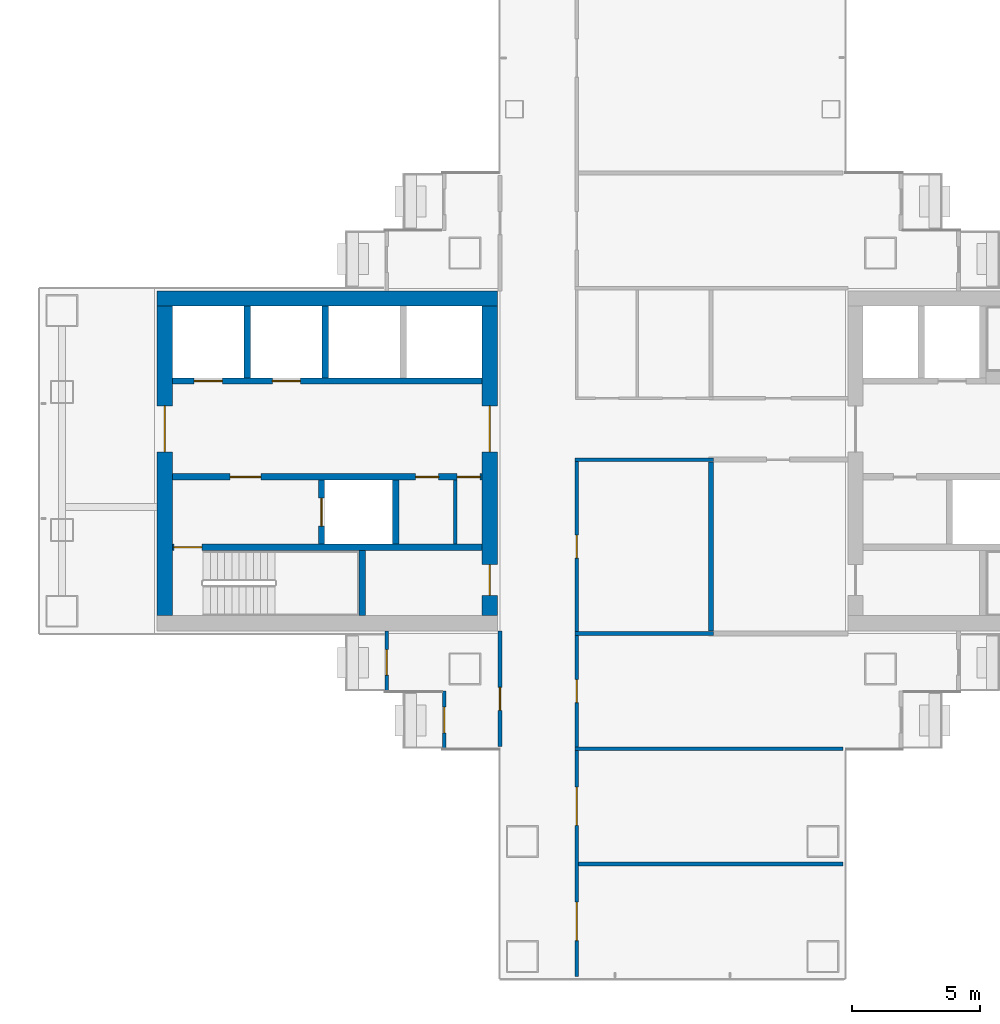
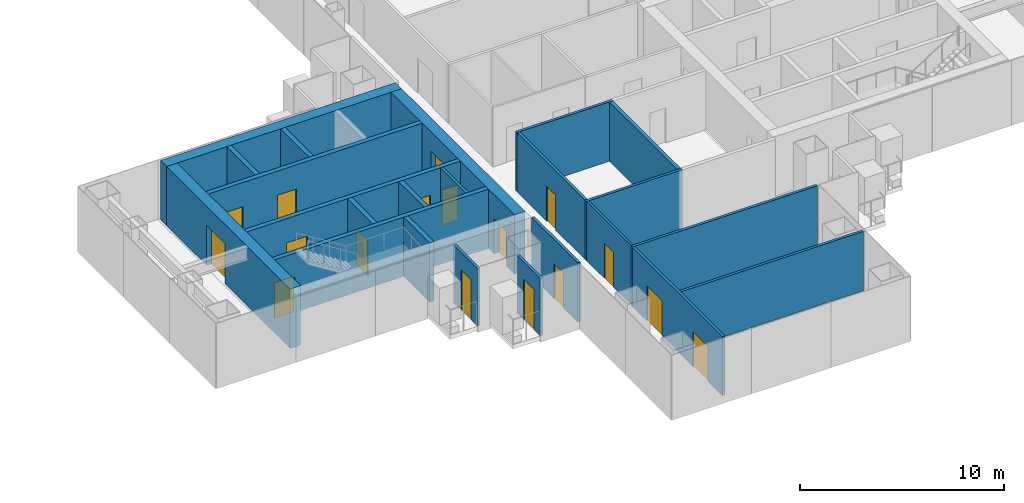
# One storey, part 14 of 20: 23 walls, 17 doors, 17 openings.
"""IFC4 building model written with IfcOpenShell, lengths in metres."""

from ifc_helpers import new_model, si_unit, direction, frame, frame_2d, origin, place, context, subcontext, project, spatial, rectangle, extrude, material, layer, layer_set, type_object, element, fill, save


model = new_model("IFC4")

# Units and contexts
model_context = context("Model", 3, precision=1e-05, world=origin(), true_north=direction((0.0, 1.0)))
body_context = subcontext(model_context, "Body", "Model", "MODEL_VIEW")
ifc_project = project(units=[si_unit("LENGTHUNIT", "METRE"), si_unit("AREAUNIT", "SQUARE_METRE"), si_unit("VOLUMEUNIT", "CUBIC_METRE"), si_unit("PLANEANGLEUNIT", "RADIAN"), si_unit("MASSUNIT", "GRAM", prefix="KILO")], contexts=[model_context])

# Site, building, storey
site_placement = place(None, origin())
site = spatial("IfcSite", under=ifc_project, at=site_placement, CompositionType="ELEMENT")
building_placement = place(site_placement, origin())
building = spatial("IfcBuilding", under=site, at=building_placement, Name="Shamsa Quay Exchange Towers", CompositionType="ELEMENT")
storey_placement = place(building_placement, frame((0.0, 0.0, 109.199951171875)))
storey = spatial("IfcBuildingStorey", under=building, at=storey_placement, Name="L25", CompositionType="ELEMENT", Elevation=109.199951171875)

# Wall, opening, door
ifc_material_1 = material(Name="Aluminium EN AW-6063 T6, black anodised, with black enamelled glass infill", Category="aluminium")
ifc_layer_1 = layer(ifc_material_1, 0.14990234375)
ifc_layer_set_1 = layer_set([ifc_layer_1], Name="BALCONY DOOR BAY WALL 150")
wall_type_1 = type_object("IfcWallType", Name="BALCONY DOOR BAY WALL 150", PredefinedType="SOLIDWALL", material=ifc_layer_set_1)
wall_1_placement = place(storey_placement, frame((22.574951171875, -9.0, 0.0), z_axis=(0.0, 0.0, 1.0), x_axis=(0.0, 1.0, 0.0)))
wall_1 = element("IfcWall", 1, at=wall_1_placement, inside=storey, type_object=wall_type_1, Name="Door bay T2-PKWN L25", PredefinedType="SOLIDWALL", context=body_context, shape_type="SweptSolid", body=[
    extrude(rectangle(XDim=2.35693359375, YDim=0.14990234375, at=frame_2d((1.178466796875, 0.0))), origin(), (0.0, 0.0, 1.0), 3.449951171875),
])
opening_1_placement = place(wall_1_placement, frame((0.625, 0.0, 0.0)))
opening_1 = element("IfcOpeningElement", 2, at=opening_1_placement, cuts=wall_1, Name="Opening XD165", PredefinedType="OPENING", context=body_context, shape_type="SweptSolid", body=[
    extrude(rectangle(XDim=1.0, YDim=2.39990234375, at=frame_2d((0.5, 1.199951171875))), frame((0.0, 0.0849609375, 0.0), z_axis=(0.0, -1.0, 0.0), x_axis=(1.0, 0.0, 0.0)), (0.0, 0.0, 1.0), 0.169921875),
])
ifc_material_2 = material(Name="Aluminium EN AW-6063 T6, black anodised, with laminated glass leaf", Category="aluminium")
door_type_1 = type_object("IfcDoorType", Name="BALCONY DOOR 1000x2400", OperationType="SINGLE_SWING_LEFT", PredefinedType="DOOR", material=ifc_material_2)
door_1_placement = place(opening_1_placement, origin())
door_1 = element("IfcDoor", 3, at=door_1_placement, inside=storey, type_object=door_type_1, Name="Balcony door T2-PKWN L25", OperationType="SINGLE_SWING_LEFT", OverallHeight=2.39990234375, OverallWidth=1.0, PredefinedType="DOOR", context=body_context, shape_type="SweptSolid", body=[
    extrude(rectangle(XDim=1.0, YDim=2.39990234375, at=frame_2d((0.5, 1.199951171875))), frame((0.0, 0.02490234375, 0.0), z_axis=(0.0, -1.0, 0.0), x_axis=(1.0, 0.0, 0.0)), (0.0, 0.0, 1.0), 0.050048828125),
])
fill(opening_1, door_1)

wall_2_placement = place(storey_placement, frame((24.824951171875, -11.25, 0.0), z_axis=(0.0, 0.0, 1.0), x_axis=(0.0, 1.0, 0.0)))
wall_2 = element("IfcWall", 4, at=wall_2_placement, inside=storey, type_object=wall_type_1, Name="Door bay T2-PKWN L25", PredefinedType="SOLIDWALL", context=body_context, shape_type="SweptSolid", body=[
    extrude(rectangle(XDim=2.25, YDim=0.14990234375, at=frame_2d((1.125, 0.0))), origin(), (0.0, 0.0, 1.0), 3.449951171875),
])
opening_2_placement = place(wall_2_placement, frame((0.625, 0.0, 0.0)))
opening_2 = element("IfcOpeningElement", 5, at=opening_2_placement, cuts=wall_2, Name="Opening XD166", PredefinedType="OPENING", context=body_context, shape_type="SweptSolid", body=[
    extrude(rectangle(XDim=1.0, YDim=2.39990234375, at=frame_2d((0.5, 1.199951171875))), frame((0.0, 0.0849609375, 0.0), z_axis=(0.0, -1.0, 0.0), x_axis=(1.0, 0.0, 0.0)), (0.0, 0.0, 1.0), 0.169921875),
])
door_2_placement = place(opening_2_placement, origin())
door_2 = element("IfcDoor", 6, at=door_2_placement, inside=storey, type_object=door_type_1, Name="Balcony door T2-PKWN L25", OperationType="SINGLE_SWING_RIGHT", OverallHeight=2.39990234375, OverallWidth=1.0, PredefinedType="DOOR", context=body_context, shape_type="SweptSolid", body=[
    extrude(rectangle(XDim=1.0, YDim=2.39990234375, at=frame_2d((0.5, 1.199951171875))), frame((0.0, 0.02490234375, 0.0), z_axis=(0.0, -1.0, 0.0), x_axis=(1.0, 0.0, 0.0)), (0.0, 0.0, 1.0), 0.050048828125),
])
fill(opening_2, door_2)

# Wall
ifc_material_3 = material(Name="Concrete C70/85", Category="concrete")
ifc_layer_2 = layer(ifc_material_3, 0.60009765625)
ifc_layer_set_2 = layer_set([ifc_layer_2], Name="CORE WALL 600 C70/85")
wall_type_2 = type_object("IfcWallType", Name="CORE WALL 600 C70/85", PredefinedType="SHEAR", material=ifc_layer_set_2)
wall_3_placement = place(storey_placement, frame((13.60009765625, 6.35009765625, 0.0)))
element("IfcWall", 7, at=wall_3_placement, inside=storey, type_object=wall_type_2, Name="Core wall T2A-R11-PN", PredefinedType="SHEAR", context=body_context, shape_type="SweptSolid", body=[
    extrude(rectangle(XDim=13.2998046875, YDim=0.60009765625, at=frame_2d((6.64990234375, 0.0))), origin(), (0.0, 0.0, 1.0), 3.550048828125),
])

# Wall, opening, door
wall_4_placement = place(storey_placement, frame((13.89990234375, 6.050048828125, 0.0), z_axis=(0.0, 0.0, 1.0), x_axis=(0.0, -1.0, 0.0)))
wall_4 = element("IfcWall", 8, at=wall_4_placement, inside=storey, type_object=wall_type_2, Name="Core wall T2A-R11-PF", PredefinedType="SHEAR", context=body_context, shape_type="SweptSolid", body=[
    extrude(rectangle(XDim=12.10009765625, YDim=0.60009765625, at=frame_2d((6.050048828125, 0.0))), origin(), (0.0, 0.0, 1.0), 3.550048828125),
])
opening_3_placement = place(wall_4_placement, frame((3.89990234375, 0.0, 0.0)))
opening_3 = element("IfcOpeningElement", 9, at=opening_3_placement, cuts=wall_4, Name="Opening T2A-R11-LBD01", PredefinedType="OPENING", context=body_context, shape_type="SweptSolid", body=[
    extrude(rectangle(XDim=1.800048828125, YDim=2.39990234375, at=frame_2d((0.89990234375, 1.199951171875))), frame((0.0, 0.31005859375, 0.0), z_axis=(0.0, -1.0, 0.0), x_axis=(1.0, 0.0, 0.0)), (0.0, 0.0, 1.0), 0.6201171875),
])
ifc_material_4 = material(Name="Steel, fire rated", Category="steel")
door_type_2 = type_object("IfcDoorType", Name="LIFT LOBBY DOOR PAIR 1800", OperationType="DOUBLE_DOOR_SINGLE_SWING", PredefinedType="DOOR", material=ifc_material_4)
door_3_placement = place(opening_3_placement, origin())
door_3 = element("IfcDoor", 10, at=door_3_placement, inside=storey, type_object=door_type_2, Name="T2A-R11-LBD01", OperationType="DOUBLE_DOOR_SINGLE_SWING", OverallHeight=2.39990234375, OverallWidth=1.800048828125, PredefinedType="DOOR", context=body_context, shape_type="SweptSolid", body=[
    extrude(rectangle(XDim=1.800048828125, YDim=2.39990234375, at=frame_2d((0.89990234375, 1.199951171875))), frame((0.0, 0.02490234375, 0.0), z_axis=(0.0, -1.0, 0.0), x_axis=(1.0, 0.0, 0.0)), (0.0, 0.0, 1.0), 0.050048828125),
])
fill(opening_3, door_3)

# Wall, openings, doors
wall_5_placement = place(storey_placement, frame((26.60009765625, 6.050048828125, 0.0), z_axis=(0.0, 0.0, 1.0), x_axis=(0.0, -1.0, 0.0)))
wall_5 = element("IfcWall", 11, at=wall_5_placement, inside=storey, type_object=wall_type_2, Name="Core wall T2A-R11-PB", PredefinedType="SHEAR", context=body_context, shape_type="SweptSolid", body=[
    extrude(rectangle(XDim=12.10009765625, YDim=0.60009765625, at=frame_2d((6.050048828125, 0.0))), origin(), (0.0, 0.0, 1.0), 3.550048828125),
])
opening_4_placement = place(wall_5_placement, frame((10.10009765625, 0.0, 0.0)))
opening_4 = element("IfcOpeningElement", 12, at=opening_4_placement, cuts=wall_5, Name="Opening T2A-R11-RD02", PredefinedType="OPENING", context=body_context, shape_type="SweptSolid", body=[
    extrude(rectangle(XDim=1.199951171875, YDim=2.10009765625, at=frame_2d((0.60009765625, 1.050048828125))), frame((0.0, 0.31005859375, 0.0), z_axis=(0.0, -1.0, 0.0), x_axis=(1.0, 0.0, 0.0)), (0.0, 0.0, 1.0), 0.6201171875),
])
opening_5_placement = place(wall_5_placement, frame((3.89990234375, 0.0, 0.0)))
opening_5 = element("IfcOpeningElement", 13, at=opening_5_placement, cuts=wall_5, Name="Opening T2A-R11-LBD03", PredefinedType="OPENING", context=body_context, shape_type="SweptSolid", body=[
    extrude(rectangle(XDim=1.800048828125, YDim=2.39990234375, at=frame_2d((0.89990234375, 1.199951171875))), frame((0.0, 0.31005859375, 0.0), z_axis=(0.0, -1.0, 0.0), x_axis=(1.0, 0.0, 0.0)), (0.0, 0.0, 1.0), 0.6201171875),
])
door_4_placement = place(opening_5_placement, origin())
door_4 = element("IfcDoor", 14, at=door_4_placement, inside=storey, type_object=door_type_2, Name="T2A-R11-LBD03", OperationType="DOUBLE_DOOR_SINGLE_SWING", OverallHeight=2.39990234375, OverallWidth=1.800048828125, PredefinedType="DOOR", context=body_context, shape_type="SweptSolid", body=[
    extrude(rectangle(XDim=1.800048828125, YDim=2.39990234375, at=frame_2d((0.89990234375, 1.199951171875))), frame((0.0, 0.02490234375, 0.0), z_axis=(0.0, -1.0, 0.0), x_axis=(1.0, 0.0, 0.0)), (0.0, 0.0, 1.0), 0.050048828125),
])
fill(opening_5, door_4)
door_type_3 = type_object("IfcDoorType", Name="RISER ACCESS DOOR 1200", OperationType="SINGLE_SWING_LEFT", PredefinedType="DOOR", material=ifc_material_4)
door_5_placement = place(opening_4_placement, origin())
door_5 = element("IfcDoor", 15, at=door_5_placement, inside=storey, type_object=door_type_3, Name="T2A-R11-RD02", OperationType="SINGLE_SWING_RIGHT", OverallHeight=2.10009765625, OverallWidth=1.199951171875, PredefinedType="DOOR", context=body_context, shape_type="SweptSolid", body=[
    extrude(rectangle(XDim=1.199951171875, YDim=2.10009765625, at=frame_2d((0.60009765625, 1.050048828125))), frame((0.0, 0.02490234375, 0.0), z_axis=(0.0, -1.0, 0.0), x_axis=(1.0, 0.0, 0.0)), (0.0, 0.0, 1.0), 0.050048828125),
])
fill(opening_4, door_5)

# Wall
ifc_material_5 = material(Name="Gypsum board on steel studs, EI 60", Category="steel")
ifc_layer_3 = layer(ifc_material_5, 0.14990234375)
ifc_layer_set_3 = layer_set([ifc_layer_3], Name="FIRE PARTITION 150")
wall_type_3 = type_object("IfcWallType", Name="FIRE PARTITION 150", PredefinedType="PARTITIONING", material=ifc_layer_set_3)
wall_6_placement = place(storey_placement, frame((25.25, -3.25, 0.0), z_axis=(0.0, 0.0, 1.0), x_axis=(0.0, 1.0, 0.0)))
element("IfcWall", 16, at=wall_6_placement, inside=storey, type_object=wall_type_3, Name="Partition T2A-R11-EC0", PredefinedType="PARTITIONING", context=body_context, shape_type="SweptSolid", body=[
    extrude(rectangle(XDim=2.5, YDim=0.14990234375, at=frame_2d((1.25, 0.0))), origin(), (0.0, 0.0, 1.0), 3.550048828125),
])

# Wall, opening, door
ifc_material_6 = material(Name="Laminated fire-resisting glass in a metal frame", Category="glass")
ifc_layer_4 = layer(ifc_material_6, 0.125)
ifc_layer_set_4 = layer_set([ifc_layer_4], Name="Glazed partition 125 mm EI 60")
wall_type_4 = type_object("IfcWallType", Name="Glazed partition 125 mm EI 60", PredefinedType="PARTITIONING", material=ifc_layer_set_4)
wall_7_placement = place(storey_placement, frame((30.0, -6.824951171875, 0.0), z_axis=(0.0, 0.0, 1.0), x_axis=(0.0, -1.0, 0.0)))
wall_7 = element("IfcWall", 17, at=wall_7_placement, inside=storey, type_object=wall_type_4, Name="Partition T2-R11-W07", PredefinedType="PARTITIONING", context=body_context, shape_type="SweptSolid", body=[
    extrude(rectangle(XDim=4.35009765625, YDim=0.125, at=frame_2d((2.175048828125, 0.0))), origin(), (0.0, 0.0, 1.0), 3.550048828125),
])
opening_6_placement = place(wall_7_placement, frame((1.72509765625, 0.0, 0.0)))
opening_6 = element("IfcOpeningElement", 18, at=opening_6_placement, cuts=wall_7, Name="Opening T2-R11-D07", PredefinedType="OPENING", context=body_context, shape_type="SweptSolid", body=[
    extrude(rectangle(XDim=0.89990234375, YDim=2.10009765625, at=frame_2d((0.449951171875, 1.050048828125))), frame((0.0, 0.072509765625, 0.0), z_axis=(0.0, -1.0, 0.0), x_axis=(1.0, 0.0, 0.0)), (0.0, 0.0, 1.0), 0.14501953125),
])
ifc_material_7 = material(Name="Timber door leaf in a metal frame", Category="wood")
door_type_4 = type_object("IfcDoorType", Name="Door 900x2100 FD30S", OperationType="NOTDEFINED", PredefinedType="DOOR", material=ifc_material_7)
door_6_placement = place(opening_6_placement, origin())
door_6 = element("IfcDoor", 19, at=door_6_placement, inside=storey, type_object=door_type_4, Name="Door T2-R11-D07", OperationType="SINGLE_SWING_RIGHT", OverallHeight=2.10009765625, OverallWidth=0.89990234375, PredefinedType="DOOR", context=body_context, shape_type="SweptSolid", body=[
    extrude(rectangle(XDim=0.89990234375, YDim=2.10009765625, at=frame_2d((0.449951171875, 1.050048828125))), frame((0.0, 0.02490234375, 0.0), z_axis=(0.0, -1.0, 0.0), x_axis=(1.0, 0.0, 0.0)), (0.0, 0.0, 1.0), 0.050048828125),
])
fill(opening_6, door_6)

# Wall, openings, doors
ifc_material_8 = material(Name="Gypsum board partition on metal studs")
ifc_layer_5 = layer(ifc_material_8, 0.14990234375)
ifc_layer_set_5 = layer_set([ifc_layer_5], Name="Partition 150 mm EI 60")
wall_type_5 = type_object("IfcWallType", Name="Partition 150 mm EI 60", PredefinedType="PARTITIONING", material=ifc_layer_set_5)
wall_8_placement = place(storey_placement, frame((30.0, -11.324951171875, 0.0), z_axis=(0.0, 0.0, 1.0), x_axis=(0.0, -1.0, 0.0)))
wall_8 = element("IfcWall", 20, at=wall_8_placement, inside=storey, type_object=wall_type_5, Name="Partition T2-R11-W01", PredefinedType="PARTITIONING", context=body_context, shape_type="SweptSolid", body=[
    extrude(rectangle(XDim=8.830078125, YDim=0.14990234375, at=frame_2d((4.4150390625, 0.0))), origin(), (0.0, 0.0, 1.0), 3.550048828125),
])
opening_7_placement = place(wall_8_placement, frame((5.925048828125, 0.0, 0.0)))
opening_7 = element("IfcOpeningElement", 21, at=opening_7_placement, cuts=wall_8, Name="Opening T2-R11-D05", PredefinedType="OPENING", context=body_context, shape_type="SweptSolid", body=[
    extrude(rectangle(XDim=1.5, YDim=2.10009765625, at=frame_2d((0.75, 1.050048828125))), frame((0.0, 0.0849609375, 0.0), z_axis=(0.0, -1.0, 0.0), x_axis=(1.0, 0.0, 0.0)), (0.0, 0.0, 1.0), 0.169921875),
])
opening_8_placement = place(wall_8_placement, frame((1.425048828125, 0.0, 0.0)))
opening_8 = element("IfcOpeningElement", 22, at=opening_8_placement, cuts=wall_8, Name="Opening T2-R11-D06", PredefinedType="OPENING", context=body_context, shape_type="SweptSolid", body=[
    extrude(rectangle(XDim=1.5, YDim=2.10009765625, at=frame_2d((0.75, 1.050048828125))), frame((0.0, 0.0849609375, 0.0), z_axis=(0.0, -1.0, 0.0), x_axis=(1.0, 0.0, 0.0)), (0.0, 0.0, 1.0), 0.169921875),
])
door_type_5 = type_object("IfcDoorType", Name="Door 1500x2100 FD30S pair", OperationType="NOTDEFINED", PredefinedType="DOOR", material=ifc_material_7)
door_7_placement = place(opening_7_placement, origin())
door_7 = element("IfcDoor", 23, at=door_7_placement, inside=storey, type_object=door_type_5, Name="Door T2-R11-D05", OperationType="DOUBLE_DOOR_SINGLE_SWING", OverallHeight=2.10009765625, OverallWidth=1.5, PredefinedType="DOOR", context=body_context, shape_type="SweptSolid", body=[
    extrude(rectangle(XDim=1.5, YDim=2.10009765625, at=frame_2d((0.75, 1.050048828125))), frame((0.0, 0.02490234375, 0.0), z_axis=(0.0, -1.0, 0.0), x_axis=(1.0, 0.0, 0.0)), (0.0, 0.0, 1.0), 0.050048828125),
])
fill(opening_7, door_7)
door_8_placement = place(opening_8_placement, origin())
door_8 = element("IfcDoor", 24, at=door_8_placement, inside=storey, type_object=door_type_5, Name="Door T2-R11-D06", OperationType="DOUBLE_DOOR_SINGLE_SWING", OverallHeight=2.10009765625, OverallWidth=1.5, PredefinedType="DOOR", context=body_context, shape_type="SweptSolid", body=[
    extrude(rectangle(XDim=1.5, YDim=2.10009765625, at=frame_2d((0.75, 1.050048828125))), frame((0.0, 0.02490234375, 0.0), z_axis=(0.0, -1.0, 0.0), x_axis=(1.0, 0.0, 0.0)), (0.0, 0.0, 1.0), 0.050048828125),
])
fill(opening_8, door_8)

# Wall, opening, door
wall_9_placement = place(storey_placement, frame((30.0, -0.025146484375, 0.0), z_axis=(0.0, 0.0, 1.0), x_axis=(0.0, -1.0, 0.0)))
wall_9 = element("IfcWall", 25, at=wall_9_placement, inside=storey, type_object=wall_type_5, Name="Partition T2-R11-W02", PredefinedType="PARTITIONING", context=body_context, shape_type="SweptSolid", body=[
    extrude(rectangle(XDim=6.64990234375, YDim=0.14990234375, at=frame_2d((3.324951171875, 0.0))), origin(), (0.0, 0.0, 1.0), 3.550048828125),
])
opening_9_placement = place(wall_9_placement, frame((2.875, 0.0, 0.0)))
opening_9 = element("IfcOpeningElement", 26, at=opening_9_placement, cuts=wall_9, Name="Opening T2-R11-D08", PredefinedType="OPENING", context=body_context, shape_type="SweptSolid", body=[
    extrude(rectangle(XDim=0.89990234375, YDim=2.10009765625, at=frame_2d((0.449951171875, 1.050048828125))), frame((0.0, 0.0849609375, 0.0), z_axis=(0.0, -1.0, 0.0), x_axis=(1.0, 0.0, 0.0)), (0.0, 0.0, 1.0), 0.169921875),
])
door_9_placement = place(opening_9_placement, origin())
door_9 = element("IfcDoor", 27, at=door_9_placement, inside=storey, type_object=door_type_4, Name="Door T2-R11-D08", OperationType="SINGLE_SWING_RIGHT", OverallHeight=2.10009765625, OverallWidth=0.89990234375, PredefinedType="DOOR", context=body_context, shape_type="SweptSolid", body=[
    extrude(rectangle(XDim=0.89990234375, YDim=2.10009765625, at=frame_2d((0.449951171875, 1.050048828125))), frame((0.0, 0.02490234375, 0.0), z_axis=(0.0, -1.0, 0.0), x_axis=(1.0, 0.0, 0.0)), (0.0, 0.0, 1.0), 0.050048828125),
])
fill(opening_9, door_9)

# Wall
wall_10_placement = place(storey_placement, frame((35.35009765625, 0.0498046875, 0.0), z_axis=(0.0, 0.0, 1.0), x_axis=(-1.0, 0.0, 0.0)))
element("IfcWall", 28, at=wall_10_placement, inside=storey, type_object=wall_type_5, Name="Partition T2-R11-W09", PredefinedType="PARTITIONING", context=body_context, shape_type="SweptSolid", body=[
    extrude(rectangle(XDim=5.425048828125, YDim=0.14990234375, at=frame_2d((2.71240234375, 0.0))), origin(), (0.0, 0.0, 1.0), 3.550048828125),
])

# Wall, opening, door
wall_11_placement = place(storey_placement, frame((27.0, -11.155029296875, 0.0), z_axis=(0.0, 0.0, 1.0), x_axis=(0.0, 1.0, 0.0)))
wall_11 = element("IfcWall", 29, at=wall_11_placement, inside=storey, type_object=wall_type_5, Name="Partition T2-R11-W11", PredefinedType="PARTITIONING", context=body_context, shape_type="SweptSolid", body=[
    extrude(rectangle(XDim=4.505126953125, YDim=0.14990234375, at=frame_2d((2.25244140625, 0.0))), origin(), (0.0, 0.0, 1.0), 3.550048828125),
])
opening_10_placement = place(wall_11_placement, frame((1.405029296875, 0.0, 0.0)))
opening_10 = element("IfcOpeningElement", 30, at=opening_10_placement, cuts=wall_11, Name="Opening T2-R11-D12", PredefinedType="OPENING", context=body_context, shape_type="SweptSolid", body=[
    extrude(rectangle(XDim=0.89990234375, YDim=2.10009765625, at=frame_2d((0.449951171875, 1.050048828125))), frame((0.0, 0.0849609375, 0.0), z_axis=(0.0, -1.0, 0.0), x_axis=(1.0, 0.0, 0.0)), (0.0, 0.0, 1.0), 0.169921875),
])
door_10_placement = place(opening_10_placement, origin())
door_10 = element("IfcDoor", 31, at=door_10_placement, inside=storey, type_object=door_type_4, Name="Door T2-R11-D12", OperationType="SINGLE_SWING_LEFT", OverallHeight=2.10009765625, OverallWidth=0.89990234375, PredefinedType="DOOR", context=body_context, shape_type="SweptSolid", body=[
    extrude(rectangle(XDim=0.89990234375, YDim=2.10009765625, at=frame_2d((0.449951171875, 1.050048828125))), frame((0.0, 0.02490234375, 0.0), z_axis=(0.0, -1.0, 0.0), x_axis=(1.0, 0.0, 0.0)), (0.0, 0.0, 1.0), 0.050048828125),
])
fill(opening_10, door_10)

# Walls
wall_12_placement = place(storey_placement, frame((29.925048828125, -11.25, 0.0)))
element("IfcWall", 32, at=wall_12_placement, inside=storey, type_object=wall_type_5, Name="Partition T2-R11-W17", PredefinedType="PARTITIONING", context=body_context, shape_type="SweptSolid", body=[
    extrude(rectangle(XDim=10.47998046875, YDim=0.14990234375, at=frame_2d((5.239990234375, 0.0))), origin(), (0.0, 0.0, 1.0), 3.550048828125),
])
wall_13_placement = place(storey_placement, frame((35.35009765625, -6.75, 0.0), z_axis=(0.0, 0.0, 1.0), x_axis=(-1.0, 0.0, 0.0)))
element("IfcWall", 33, at=wall_13_placement, inside=storey, type_object=wall_type_5, Name="Partition T2-R11-W19", PredefinedType="PARTITIONING", context=body_context, shape_type="SweptSolid", body=[
    extrude(rectangle(XDim=5.425048828125, YDim=0.14990234375, at=frame_2d((2.71240234375, 0.0))), origin(), (0.0, 0.0, 1.0), 3.550048828125),
])
wall_14_placement = place(storey_placement, frame((30.074951171875, -15.75, 0.0)))
element("IfcWall", 34, at=wall_14_placement, inside=storey, type_object=wall_type_5, Name="Partition T2-R11-W20", PredefinedType="PARTITIONING", context=body_context, shape_type="SweptSolid", body=[
    extrude(rectangle(XDim=10.330078125, YDim=0.14990234375, at=frame_2d((5.1650390625, 0.0))), origin(), (0.0, 0.0, 1.0), 3.550048828125),
])
ifc_layer_6 = layer(ifc_material_8, 0.199951171875)
ifc_layer_set_6 = layer_set([ifc_layer_6], Name="Partition 200 mm EI 120")
wall_type_6 = type_object("IfcWallType", Name="Partition 200 mm EI 120", PredefinedType="PARTITIONING", material=ifc_layer_set_6)
wall_15_placement = place(storey_placement, frame((35.25, -0.05029296875, 0.0), z_axis=(0.0, 0.0, 1.0), x_axis=(0.0, -1.0, 0.0)))
element("IfcWall", 35, at=wall_15_placement, inside=storey, type_object=wall_type_6, Name="Partition T2-R11-W21", PredefinedType="PARTITIONING", context=body_context, shape_type="SweptSolid", body=[
    extrude(rectangle(XDim=6.599609375, YDim=0.199951171875, at=frame_2d((3.2998046875, 0.0))), origin(), (0.0, 0.0, 1.0), 3.550048828125),
])

# Wall, opening, door
ifc_material_9 = material(Name="Concrete C50/60", Category="concrete")
ifc_layer_7 = layer(ifc_material_9, 0.25)
ifc_layer_set_7 = layer_set([ifc_layer_7], Name="SHAFT WALL 250 C50/60")
wall_type_7 = type_object("IfcWallType", Name="SHAFT WALL 250 C50/60", PredefinedType="SHEAR", material=ifc_layer_set_7)
wall_16_placement = place(storey_placement, frame((26.300048828125, -3.375, 0.0), z_axis=(0.0, 0.0, 1.0), x_axis=(-1.0, 0.0, 0.0)))
wall_16 = element("IfcWall", 36, at=wall_16_placement, inside=storey, type_object=wall_type_7, Name="Shaft wall T2A-R11-STL", PredefinedType="SHEAR", context=body_context, shape_type="SweptSolid", body=[
    extrude(rectangle(XDim=12.10009765625, YDim=0.25, at=frame_2d((6.050048828125, 0.0))), origin(), (0.0, 0.0, 1.0), 3.550048828125),
])
opening_11_placement = place(wall_16_placement, frame((10.949951171875, 0.0, 0.0)))
opening_11 = element("IfcOpeningElement", 37, at=opening_11_placement, cuts=wall_16, Name="Opening T2A-R11-SD04", PredefinedType="OPENING", context=body_context, shape_type="SweptSolid", body=[
    extrude(rectangle(XDim=1.10009765625, YDim=2.10009765625, at=frame_2d((0.550048828125, 1.050048828125))), frame((0.0, 0.135009765625, 0.0), z_axis=(0.0, -1.0, 0.0), x_axis=(1.0, 0.0, 0.0)), (0.0, 0.0, 1.0), 0.27001953125),
])
door_type_6 = type_object("IfcDoorType", Name="STAIR DOOR 1100", OperationType="SINGLE_SWING_LEFT", PredefinedType="DOOR", material=ifc_material_4)
door_11_placement = place(opening_11_placement, origin())
door_11 = element("IfcDoor", 38, at=door_11_placement, inside=storey, type_object=door_type_6, Name="T2A-R11-SD04", OperationType="SINGLE_SWING_RIGHT", OverallHeight=2.10009765625, OverallWidth=1.10009765625, PredefinedType="DOOR", context=body_context, shape_type="SweptSolid", body=[
    extrude(rectangle(XDim=1.10009765625, YDim=2.10009765625, at=frame_2d((0.550048828125, 1.050048828125))), frame((0.0, 0.02490234375, 0.0), z_axis=(0.0, -1.0, 0.0), x_axis=(1.0, 0.0, 0.0)), (0.0, 0.0, 1.0), 0.050048828125),
])
fill(opening_11, door_11)

# Wall
wall_17_placement = place(storey_placement, frame((21.625, -6.050048828125, 0.0), z_axis=(0.0, 0.0, 1.0), x_axis=(0.0, 1.0, 0.0)))
element("IfcWall", 39, at=wall_17_placement, inside=storey, type_object=wall_type_7, Name="Shaft wall T2A-R11-STF", PredefinedType="SHEAR", context=body_context, shape_type="SweptSolid", body=[
    extrude(rectangle(XDim=2.550048828125, YDim=0.25, at=frame_2d((1.27490234375, 0.0))), origin(), (0.0, 0.0, 1.0), 3.550048828125),
])

# Wall, openings, doors
wall_18_placement = place(storey_placement, frame((26.300048828125, -0.625, 0.0), z_axis=(0.0, 0.0, 1.0), x_axis=(-1.0, 0.0, 0.0)))
wall_18 = element("IfcWall", 40, at=wall_18_placement, inside=storey, type_object=wall_type_7, Name="Shaft wall T2A-R11-B", PredefinedType="SHEAR", context=body_context, shape_type="SweptSolid", body=[
    extrude(rectangle(XDim=12.10009765625, YDim=0.25, at=frame_2d((6.050048828125, 0.0))), origin(), (0.0, 0.0, 1.0), 3.550048828125),
])
opening_12_placement = place(wall_18_placement, frame((8.64990234375, 0.0, 0.0)))
opening_12 = element("IfcOpeningElement", 41, at=opening_12_placement, cuts=wall_18, Name="Opening T2A-R11-FD05", PredefinedType="OPENING", context=body_context, shape_type="SweptSolid", body=[
    extrude(rectangle(XDim=1.199951171875, YDim=2.10009765625, at=frame_2d((0.60009765625, 1.050048828125))), frame((0.0, 0.135009765625, 0.0), z_axis=(0.0, -1.0, 0.0), x_axis=(1.0, 0.0, 0.0)), (0.0, 0.0, 1.0), 0.27001953125),
])
opening_13_placement = place(wall_18_placement, frame((1.699951171875, 0.0, 0.0)))
opening_13 = element("IfcOpeningElement", 42, at=opening_13_placement, cuts=wall_18, Name="Opening T2A-R11-SV06", PredefinedType="OPENING", context=body_context, shape_type="SweptSolid", body=[
    extrude(rectangle(XDim=0.89990234375, YDim=2.10009765625, at=frame_2d((0.449951171875, 1.050048828125))), frame((0.0, 0.135009765625, 0.0), z_axis=(0.0, -1.0, 0.0), x_axis=(1.0, 0.0, 0.0)), (0.0, 0.0, 1.0), 0.27001953125),
])
opening_14_placement = place(wall_18_placement, frame((0.074951171875, 0.0, 0.0)))
opening_14 = element("IfcOpeningElement", 43, at=opening_14_placement, cuts=wall_18, Name="Opening T2A-R11-SV07", PredefinedType="OPENING", context=body_context, shape_type="SweptSolid", body=[
    extrude(rectangle(XDim=0.89990234375, YDim=2.10009765625, at=frame_2d((0.449951171875, 1.050048828125))), frame((0.0, 0.135009765625, 0.0), z_axis=(0.0, -1.0, 0.0), x_axis=(1.0, 0.0, 0.0)), (0.0, 0.0, 1.0), 0.27001953125),
])
door_type_7 = type_object("IfcDoorType", Name="FIRE SERVICE LOBBY DOOR 1200", OperationType="SINGLE_SWING_LEFT", PredefinedType="DOOR", material=ifc_material_4)
door_12_placement = place(opening_12_placement, origin())
door_12 = element("IfcDoor", 44, at=door_12_placement, inside=storey, type_object=door_type_7, Name="T2A-R11-FD05", OperationType="SINGLE_SWING_RIGHT", OverallHeight=2.10009765625, OverallWidth=1.199951171875, PredefinedType="DOOR", context=body_context, shape_type="SweptSolid", body=[
    extrude(rectangle(XDim=1.199951171875, YDim=2.10009765625, at=frame_2d((0.60009765625, 1.050048828125))), frame((0.0, 0.02490234375, 0.0), z_axis=(0.0, -1.0, 0.0), x_axis=(1.0, 0.0, 0.0)), (0.0, 0.0, 1.0), 0.050048828125),
])
fill(opening_12, door_12)
door_type_8 = type_object("IfcDoorType", Name="SERVICE ROOM DOOR 900", OperationType="SINGLE_SWING_LEFT", PredefinedType="DOOR", material=ifc_material_4)
door_13_placement = place(opening_13_placement, origin())
door_13 = element("IfcDoor", 45, at=door_13_placement, inside=storey, type_object=door_type_8, Name="T2A-R11-SV06", OperationType="SINGLE_SWING_LEFT", OverallHeight=2.10009765625, OverallWidth=0.89990234375, PredefinedType="DOOR", context=body_context, shape_type="SweptSolid", body=[
    extrude(rectangle(XDim=0.89990234375, YDim=2.10009765625, at=frame_2d((0.449951171875, 1.050048828125))), frame((0.0, 0.02490234375, 0.0), z_axis=(0.0, -1.0, 0.0), x_axis=(1.0, 0.0, 0.0)), (0.0, 0.0, 1.0), 0.050048828125),
])
fill(opening_13, door_13)
door_14_placement = place(opening_14_placement, origin())
door_14 = element("IfcDoor", 46, at=door_14_placement, inside=storey, type_object=door_type_8, Name="T2A-R11-SV07", OperationType="SINGLE_SWING_LEFT", OverallHeight=2.10009765625, OverallWidth=0.89990234375, PredefinedType="DOOR", context=body_context, shape_type="SweptSolid", body=[
    extrude(rectangle(XDim=0.89990234375, YDim=2.10009765625, at=frame_2d((0.449951171875, 1.050048828125))), frame((0.0, 0.02490234375, 0.0), z_axis=(0.0, -1.0, 0.0), x_axis=(1.0, 0.0, 0.0)), (0.0, 0.0, 1.0), 0.050048828125),
])
fill(opening_14, door_14)

# Wall, opening, door
wall_19_placement = place(storey_placement, frame((20.02490234375, -3.25, 0.0), z_axis=(0.0, 0.0, 1.0), x_axis=(0.0, 1.0, 0.0)))
wall_19 = element("IfcWall", 47, at=wall_19_placement, inside=storey, type_object=wall_type_7, Name="Shaft wall T2A-R11-FFF", PredefinedType="SHEAR", context=body_context, shape_type="SweptSolid", body=[
    extrude(rectangle(XDim=2.5, YDim=0.25, at=frame_2d((1.25, 0.0))), origin(), (0.0, 0.0, 1.0), 3.550048828125),
])
opening_15_placement = place(wall_19_placement, frame((0.699951171875, 0.0, 0.0)))
opening_15 = element("IfcOpeningElement", 48, at=opening_15_placement, cuts=wall_19, Name="Opening T2A-R11-LDF08", PredefinedType="OPENING", context=body_context, shape_type="SweptSolid", body=[
    extrude(rectangle(XDim=1.10009765625, YDim=2.10009765625, at=frame_2d((0.550048828125, 1.050048828125))), frame((0.0, 0.135009765625, 0.0), z_axis=(0.0, -1.0, 0.0), x_axis=(1.0, 0.0, 0.0)), (0.0, 0.0, 1.0), 0.27001953125),
])
door_type_9 = type_object("IfcDoorType", Name="FIRE SERVICE LANDING DOOR 1100", OperationType="SLIDING_TO_LEFT", PredefinedType="DOOR", material=ifc_material_4)
door_15_placement = place(opening_15_placement, origin())
door_15 = element("IfcDoor", 49, at=door_15_placement, inside=storey, type_object=door_type_9, Name="T2A-R11-LDF08", OperationType="SLIDING_TO_LEFT", OverallHeight=2.10009765625, OverallWidth=1.10009765625, PredefinedType="DOOR", context=body_context, shape_type="SweptSolid", body=[
    extrude(rectangle(XDim=1.10009765625, YDim=2.10009765625, at=frame_2d((0.550048828125, 1.050048828125))), frame((0.0, 0.02490234375, 0.0), z_axis=(0.0, -1.0, 0.0), x_axis=(1.0, 0.0, 0.0)), (0.0, 0.0, 1.0), 0.050048828125),
])
fill(opening_15, door_15)

# Wall
wall_20_placement = place(storey_placement, frame((22.925048828125, -3.25, 0.0), z_axis=(0.0, 0.0, 1.0), x_axis=(0.0, 1.0, 0.0)))
element("IfcWall", 50, at=wall_20_placement, inside=storey, type_object=wall_type_7, Name="Shaft wall T2A-R11-FFB", PredefinedType="SHEAR", context=body_context, shape_type="SweptSolid", body=[
    extrude(rectangle(XDim=2.5, YDim=0.25, at=frame_2d((1.25, 0.0))), origin(), (0.0, 0.0, 1.0), 3.550048828125),
])

# Wall, openings, doors
wall_21_placement = place(storey_placement, frame((14.199951171875, 3.125, 0.0)))
wall_21 = element("IfcWall", 51, at=wall_21_placement, inside=storey, type_object=wall_type_7, Name="Shaft wall T2A-R11-N", PredefinedType="SHEAR", context=body_context, shape_type="SweptSolid", body=[
    extrude(rectangle(XDim=12.10009765625, YDim=0.25, at=frame_2d((6.050048828125, 0.0))), origin(), (0.0, 0.0, 1.0), 3.550048828125),
])
opening_16_placement = place(wall_21_placement, frame((0.85009765625, 0.0, 0.0)))
opening_16 = element("IfcOpeningElement", 52, at=opening_16_placement, cuts=wall_21, Name="Opening T2A-R11-LD09", PredefinedType="OPENING", context=body_context, shape_type="SweptSolid", body=[
    extrude(rectangle(XDim=1.10009765625, YDim=2.10009765625, at=frame_2d((0.550048828125, 1.050048828125))), frame((0.0, 0.135009765625, 0.0), z_axis=(0.0, -1.0, 0.0), x_axis=(1.0, 0.0, 0.0)), (0.0, 0.0, 1.0), 0.27001953125),
])
opening_17_placement = place(wall_21_placement, frame((3.89990234375, 0.0, 0.0)))
opening_17 = element("IfcOpeningElement", 53, at=opening_17_placement, cuts=wall_21, Name="Opening T2A-R11-LD10", PredefinedType="OPENING", context=body_context, shape_type="SweptSolid", body=[
    extrude(rectangle(XDim=1.10009765625, YDim=2.10009765625, at=frame_2d((0.550048828125, 1.050048828125))), frame((0.0, 0.135009765625, 0.0), z_axis=(0.0, -1.0, 0.0), x_axis=(1.0, 0.0, 0.0)), (0.0, 0.0, 1.0), 0.27001953125),
])
door_type_10 = type_object("IfcDoorType", Name="LANDING DOOR 1100", OperationType="SLIDING_TO_LEFT", PredefinedType="DOOR", material=ifc_material_4)
door_16_placement = place(opening_16_placement, origin())
door_16 = element("IfcDoor", 54, at=door_16_placement, inside=storey, type_object=door_type_10, Name="T2A-R11-LD09", OperationType="SLIDING_TO_LEFT", OverallHeight=2.10009765625, OverallWidth=1.10009765625, PredefinedType="DOOR", context=body_context, shape_type="SweptSolid", body=[
    extrude(rectangle(XDim=1.10009765625, YDim=2.10009765625, at=frame_2d((0.550048828125, 1.050048828125))), frame((0.0, 0.02490234375, 0.0), z_axis=(0.0, -1.0, 0.0), x_axis=(1.0, 0.0, 0.0)), (0.0, 0.0, 1.0), 0.050048828125),
])
fill(opening_16, door_16)
door_17_placement = place(opening_17_placement, origin())
door_17 = element("IfcDoor", 55, at=door_17_placement, inside=storey, type_object=door_type_10, Name="T2A-R11-LD10", OperationType="SLIDING_TO_LEFT", OverallHeight=2.10009765625, OverallWidth=1.10009765625, PredefinedType="DOOR", context=body_context, shape_type="SweptSolid", body=[
    extrude(rectangle(XDim=1.10009765625, YDim=2.10009765625, at=frame_2d((0.550048828125, 1.050048828125))), frame((0.0, 0.02490234375, 0.0), z_axis=(0.0, -1.0, 0.0), x_axis=(1.0, 0.0, 0.0)), (0.0, 0.0, 1.0), 0.050048828125),
])
fill(opening_17, door_17)

# Walls
for number, where, z_axis, x_axis, name in (
    (56, (17.125, 3.25, 0.0), (0.0, 0.0, 1.0), (0.0, 1.0, 0.0), "Shaft wall T2A-R11-D0"),
    (57, (20.175048828125, 3.25, 0.0), (0.0, 0.0, 1.0), (0.0, 1.0, 0.0), "Shaft wall T2A-R11-D1"),
):
    element("IfcWall", number, at=place(storey_placement, frame(where, z_axis=z_axis, x_axis=x_axis)), inside=storey, type_object=wall_type_7, Name=name, PredefinedType="SHEAR", context=body_context, shape_type="SweptSolid", body=[
        extrude(rectangle(XDim=2.800048828125, YDim=0.25, at=frame_2d((1.39990234375, 0.0))), origin(), (0.0, 0.0, 1.0), 3.550048828125),
    ])

save(model, "model.ifc")
